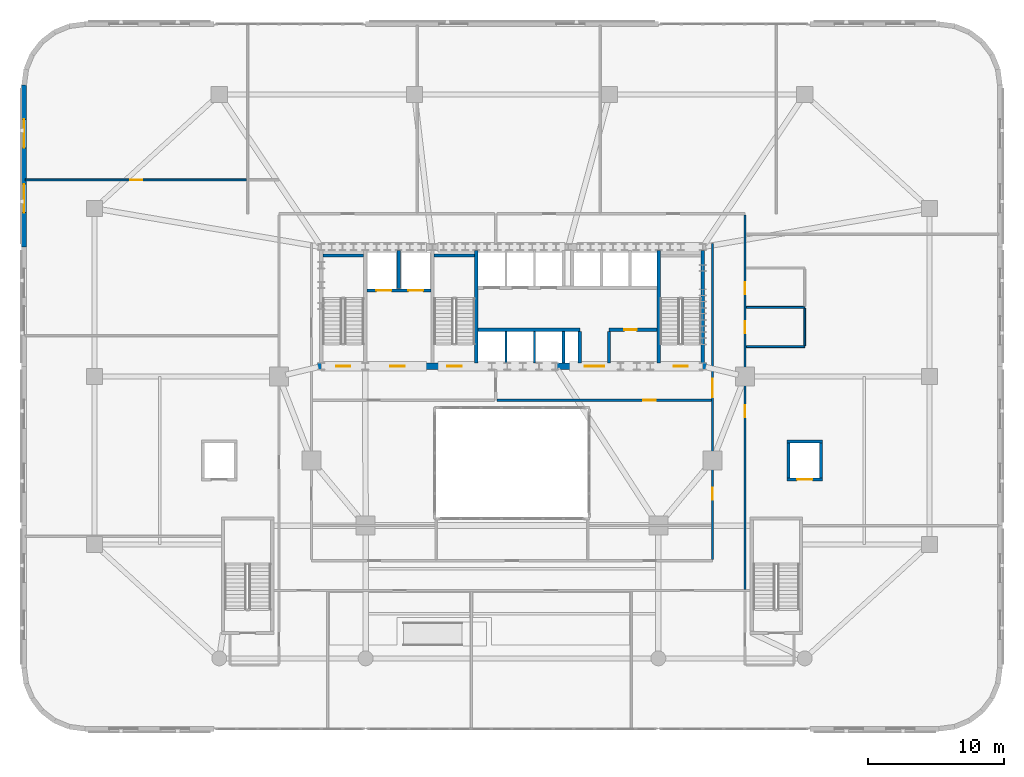
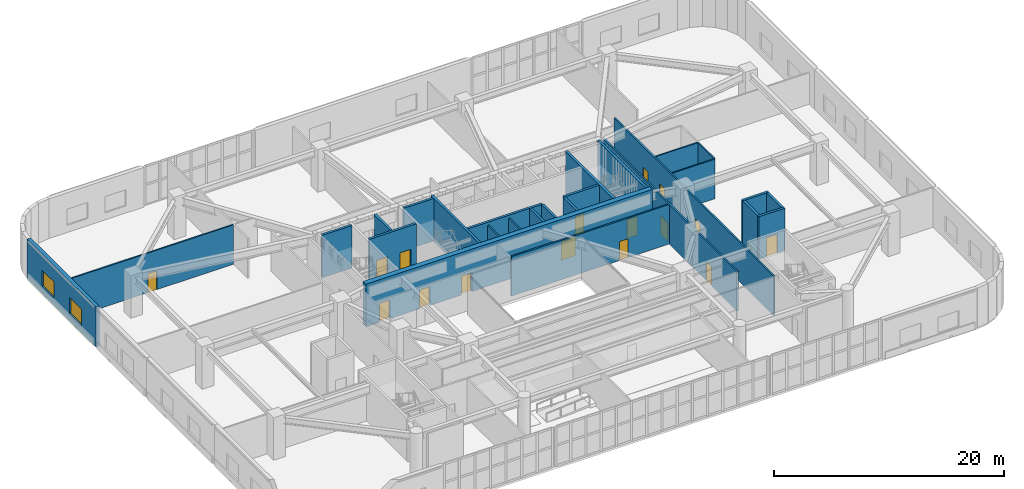
# One storey, part 15 of 25: 27 walls, 16 doors, 2 windows, 18 openings.
"""IFC4 building model written with IfcOpenShell, lengths in metres."""

from ifc_helpers import new_model, si_unit, direction, frame, frame_2d, origin, place, context, subcontext, project, spatial, rectangle, extrude, material, layer, layer_set, type_object, element, fill, save


model = new_model("IFC4")

# Units and contexts
model_context = context("Model", 3, precision=1e-05, world=origin(), true_north=direction((0.0, 1.0)))
body_context = subcontext(model_context, "Body", "Model", "MODEL_VIEW")
ifc_project = project(units=[si_unit("LENGTHUNIT", "METRE"), si_unit("AREAUNIT", "SQUARE_METRE"), si_unit("VOLUMEUNIT", "CUBIC_METRE"), si_unit("PLANEANGLEUNIT", "RADIAN"), si_unit("MASSUNIT", "GRAM", prefix="KILO")], contexts=[model_context])

# Site, building, storey
site_placement = place(None, origin())
site = spatial("IfcSite", under=ifc_project, at=site_placement, CompositionType="ELEMENT")
building_placement = place(site_placement, origin())
building = spatial("IfcBuilding", under=site, at=building_placement, Name="Haldorwick Loom Tower", CompositionType="ELEMENT")
storey_placement = place(building_placement, frame((0.0, 0.0, 6.0)))
storey = spatial("IfcBuildingStorey", under=building, at=storey_placement, Name="L01", CompositionType="ELEMENT", Elevation=6.0)

# Wall, openings, windows
ifc_material_1 = material(Name="Pressed Clay Face Brick and Insulated Masonry Backup Assembly", Category="masonry")
ifc_layer_1 = layer(ifc_material_1, 0.360107421875, Name="Pressed Clay Face Brick and Insulated Masonry Backup Assembly", Category="masonry")
ifc_layer_set_1 = layer_set([ifc_layer_1], Name="Pressed Clay Face Brick and Insulated Masonry Backup Assembly")
wall_type_1 = type_object("IfcWallType", Name="ARC-WL-EXT360", PredefinedType="STANDARD", material=ifc_layer_set_1)
wall_1_placement = place(storey_placement, frame((0.0, 47.5, 0.0), z_axis=(0.0, 0.0, 1.0), x_axis=(0.0, -1.0, 0.0)))
wall_1 = element("IfcWall", 1, at=wall_1_placement, inside=storey, type_object=wall_type_1, Name="L01 Brick Pier and Spandrel Wall 28", PredefinedType="STANDARD", context=body_context, shape_type="SweptSolid", body=[
    extrude(rectangle(XDim=11.949951171875, YDim=0.360107421875, at=frame_2d((5.97509765625, 0.0))), origin(), (0.0, 0.0, 1.0), 4.199951171875),
])
opening_1_placement = place(wall_1_placement, frame((2.534912109375, 0.0, 0.75)))
opening_1 = element("IfcOpeningElement", 2, at=opening_1_placement, cuts=wall_1, Name="Opening W-04", PredefinedType="OPENING", context=body_context, shape_type="SweptSolid", body=[
    extrude(rectangle(XDim=2.10009765625, YDim=1.719970703125, at=frame_2d((1.050048828125, 0.85986328125))), frame((0.0, 0.18994140625, 0.0), z_axis=(0.0, -1.0, 0.0), x_axis=(1.0, 0.0, 0.0)), (0.0, 0.0, 1.0), 0.380126953125),
])
opening_2_placement = place(wall_1_placement, frame((7.31494140625, 0.0, 0.75)))
opening_2 = element("IfcOpeningElement", 3, at=opening_2_placement, cuts=wall_1, Name="Opening W-04", PredefinedType="OPENING", context=body_context, shape_type="SweptSolid", body=[
    extrude(rectangle(XDim=2.10009765625, YDim=1.719970703125, at=frame_2d((1.050048828125, 0.85986328125))), frame((0.0, 0.18994140625, 0.0), z_axis=(0.0, -1.0, 0.0), x_axis=(1.0, 0.0, 0.0)), (0.0, 0.0, 1.0), 0.380126953125),
])
ifc_material_2 = material(Name="Triple-Glazed Low-E Argon Insulated Glazing Unit", Category="glass")
window_type = type_object("IfcWindowType", Name="ARC-WIN-W210", PartitioningType="SINGLE_PANEL", PredefinedType="WINDOW", material=ifc_material_2)
window_1_placement = place(opening_1_placement, origin())
window_1 = element("IfcWindow", 4, at=window_1_placement, inside=storey, type_object=window_type, Name="L01 Deep-Set Zone 7A Window 28", OverallHeight=1.719970703125, OverallWidth=2.10009765625, PartitioningType="SINGLE_PANEL", PredefinedType="WINDOW", context=body_context, shape_type="SweptSolid", body=[
    extrude(rectangle(XDim=2.10009765625, YDim=1.719970703125, at=frame_2d((1.050048828125, 0.85986328125))), frame((0.0, 0.030029296875, 0.0), z_axis=(0.0, -1.0, 0.0), x_axis=(1.0, 0.0, 0.0)), (0.0, 0.0, 1.0), 0.06005859375),
])
fill(opening_1, window_1)
window_2_placement = place(opening_2_placement, origin())
window_2 = element("IfcWindow", 5, at=window_2_placement, inside=storey, type_object=window_type, Name="L01 Deep-Set Zone 7A Window 28", OverallHeight=1.719970703125, OverallWidth=2.10009765625, PartitioningType="SINGLE_PANEL", PredefinedType="WINDOW", context=body_context, shape_type="SweptSolid", body=[
    extrude(rectangle(XDim=2.10009765625, YDim=1.719970703125, at=frame_2d((1.050048828125, 0.85986328125))), frame((0.0, 0.030029296875, 0.0), z_axis=(0.0, -1.0, 0.0), x_axis=(1.0, 0.0, 0.0)), (0.0, 0.0, 1.0), 0.06005859375),
])
fill(opening_2, window_2)

# Wall, openings, doors
ifc_material_3 = material(Name="Fire-Rated Type X Gypsum Stud Assembly EI 60")
ifc_layer_2 = layer(ifc_material_3, 0.159912109375, Name="Fire-Rated Type X Gypsum Stud Assembly EI 60")
ifc_layer_set_2 = layer_set([ifc_layer_2], Name="Fire-Rated Type X Gypsum Stud Assembly EI 60")
wall_type_2 = type_object("IfcWallType", Name="ARC-WL-FIRE160", PredefinedType="PARTITIONING", material=ifc_layer_set_2)
wall_2_placement = place(storey_placement, frame((53.199951171875, 10.282958984375, 0.0), z_axis=(0.0, 0.0, 1.0), x_axis=(0.0, 1.0, 0.0)))
wall_2 = element("IfcWall", 6, at=wall_2_placement, inside=storey, type_object=wall_type_2, Name="L01 Podium Partition L01-CE0", PredefinedType="PARTITIONING", context=body_context, shape_type="SweptSolid", body=[
    extrude(rectangle(XDim=27.634033203125, YDim=0.159912109375, at=frame_2d((13.81689453125, 0.0))), origin(), (0.0, 0.0, 1.0), 4.18505859375),
])
opening_3_placement = place(wall_2_placement, frame((12.703857421875, 0.0, 0.0)))
opening_3 = element("IfcOpeningElement", 7, at=opening_3_placement, cuts=wall_2, Name="Opening D-FD60A", PredefinedType="OPENING", context=body_context, shape_type="SweptSolid", body=[
    extrude(rectangle(XDim=0.89990234375, YDim=2.0, at=frame_2d((0.449951171875, 1.0))), frame((0.0, 0.08984375, 0.0), z_axis=(0.0, -1.0, 0.0), x_axis=(1.0, 0.0, 0.0)), (0.0, 0.0, 1.0), 0.179931640625),
])
opening_4_placement = place(wall_2_placement, frame((18.893798828125, 0.0, 0.0)))
opening_4 = element("IfcOpeningElement", 8, at=opening_4_placement, cuts=wall_2, Name="Opening D-FD60A", PredefinedType="OPENING", context=body_context, shape_type="SweptSolid", body=[
    extrude(rectangle(XDim=0.89990234375, YDim=2.0, at=frame_2d((0.449951171875, 1.0))), frame((0.0, 0.08984375, 0.0), z_axis=(0.0, -1.0, 0.0), x_axis=(1.0, 0.0, 0.0)), (0.0, 0.0, 1.0), 0.179931640625),
])
opening_5_placement = place(wall_2_placement, frame((21.767578125, 0.0, 0.0)))
opening_5 = element("IfcOpeningElement", 9, at=opening_5_placement, cuts=wall_2, Name="Opening D-FD60A", PredefinedType="OPENING", context=body_context, shape_type="SweptSolid", body=[
    extrude(rectangle(XDim=0.89990234375, YDim=2.0, at=frame_2d((0.449951171875, 1.0))), frame((0.0, 0.08984375, 0.0), z_axis=(0.0, -1.0, 0.0), x_axis=(1.0, 0.0, 0.0)), (0.0, 0.0, 1.0), 0.179931640625),
])
ifc_material_4 = material(Name="Hollow Steel Fire Door Assembly", Category="steel")
door_type_1 = type_object("IfcDoorType", Name="ARC-DR-FD60-90", OperationType="NOTDEFINED", PredefinedType="DOOR", material=ifc_material_4)
door_1_placement = place(opening_3_placement, origin())
door_1 = element("IfcDoor", 10, at=door_1_placement, inside=storey, type_object=door_type_1, Name="L01 L01 South Clinic Corridor to Outpatient Waiting Hall 14 Door", OperationType="SINGLE_SWING_RIGHT", OverallHeight=2.0, OverallWidth=0.89990234375, PredefinedType="DOOR", context=body_context, shape_type="SweptSolid", body=[
    extrude(rectangle(XDim=0.89990234375, YDim=2.0, at=frame_2d((0.449951171875, 1.0))), frame((0.0, 0.02490234375, 0.0), z_axis=(0.0, -1.0, 0.0), x_axis=(1.0, 0.0, 0.0)), (0.0, 0.0, 1.0), 0.050048828125),
])
fill(opening_3, door_1)
door_2_placement = place(opening_4_placement, origin())
door_2 = element("IfcDoor", 11, at=door_2_placement, inside=storey, type_object=door_type_1, Name="L01 L01 South Clinic Corridor to Public Washroom Door", OperationType="SINGLE_SWING_RIGHT", OverallHeight=2.0, OverallWidth=0.89990234375, PredefinedType="DOOR", context=body_context, shape_type="SweptSolid", body=[
    extrude(rectangle(XDim=0.89990234375, YDim=2.0, at=frame_2d((0.449951171875, 1.0))), frame((0.0, 0.02490234375, 0.0), z_axis=(0.0, -1.0, 0.0), x_axis=(1.0, 0.0, 0.0)), (0.0, 0.0, 1.0), 0.050048828125),
])
fill(opening_4, door_2)
door_3_placement = place(opening_5_placement, origin())
door_3 = element("IfcDoor", 12, at=door_3_placement, inside=storey, type_object=door_type_1, Name="L01 L01 South Clinic Corridor to Accessible WC Door", OperationType="SINGLE_SWING_LEFT", OverallHeight=2.0, OverallWidth=0.89990234375, PredefinedType="DOOR", context=body_context, shape_type="SweptSolid", body=[
    extrude(rectangle(XDim=0.89990234375, YDim=2.0, at=frame_2d((0.449951171875, 1.0))), frame((0.0, 0.02490234375, 0.0), z_axis=(0.0, -1.0, 0.0), x_axis=(1.0, 0.0, 0.0)), (0.0, 0.0, 1.0), 0.050048828125),
])
fill(opening_5, door_3)

wall_3_placement = place(storey_placement, frame((50.800048828125, 12.48291015625, 0.0), z_axis=(0.0, 0.0, 1.0), x_axis=(0.0, 1.0, 0.0)))
wall_3 = element("IfcWall", 13, at=wall_3_placement, inside=storey, type_object=wall_type_2, Name="L01 Podium Partition L01-CE1", PredefinedType="PARTITIONING", context=body_context, shape_type="SweptSolid", body=[
    extrude(rectangle(XDim=23.317138671875, YDim=0.159912109375, at=frame_2d((11.65869140625, 0.0))), origin(), (0.0, 0.0, 1.0), 4.18505859375),
])
opening_6_placement = place(wall_3_placement, frame((11.99169921875, 0.0, 0.0)))
opening_6 = element("IfcOpeningElement", 14, at=opening_6_placement, cuts=wall_3, Name="Opening D-CR15", PredefinedType="OPENING", context=body_context, shape_type="SweptSolid", body=[
    extrude(rectangle(XDim=1.35009765625, YDim=2.0, at=frame_2d((0.675048828125, 1.0))), frame((0.0, 0.08984375, 0.0), z_axis=(0.0, -1.0, 0.0), x_axis=(1.0, 0.0, 0.0)), (0.0, 0.0, 1.0), 0.179931640625),
])
opening_7_placement = place(wall_3_placement, frame((4.405517578125, 0.0, 0.0)))
opening_7 = element("IfcOpeningElement", 15, at=opening_7_placement, cuts=wall_3, Name="Opening D-FD60A", PredefinedType="OPENING", context=body_context, shape_type="SweptSolid", body=[
    extrude(rectangle(XDim=0.89990234375, YDim=2.0, at=frame_2d((0.449951171875, 1.0))), frame((0.0, 0.08984375, 0.0), z_axis=(0.0, -1.0, 0.0), x_axis=(1.0, 0.0, 0.0)), (0.0, 0.0, 1.0), 0.179931640625),
])
ifc_material_5 = material(Name="Thermally Broken Anodized Aluminium and Tempered Glass", Category="aluminium")
door_type_2 = type_object("IfcDoorType", Name="ARC-DR-COR150", OperationType="NOTDEFINED", PredefinedType="DOOR", material=ifc_material_5)
door_4_placement = place(opening_6_placement, origin())
door_4 = element("IfcDoor", 16, at=door_4_placement, inside=storey, type_object=door_type_2, Name="L01 L01 East Core Corridor to L01 South Clinic Corridor Door", OperationType="DOUBLE_DOOR_SINGLE_SWING", OverallHeight=2.0, OverallWidth=1.35009765625, PredefinedType="DOOR", context=body_context, shape_type="SweptSolid", body=[
    extrude(rectangle(XDim=1.35009765625, YDim=2.0, at=frame_2d((0.675048828125, 1.0))), frame((0.0, 0.02490234375, 0.0), z_axis=(0.0, -1.0, 0.0), x_axis=(1.0, 0.0, 0.0)), (0.0, 0.0, 1.0), 0.050048828125),
])
fill(opening_6, door_4)
door_5_placement = place(opening_7_placement, origin())
door_5 = element("IfcDoor", 17, at=door_5_placement, inside=storey, type_object=door_type_1, Name="L01 Station Mezzanine Lounge 11 to L01 South Clinic Corridor Door", OperationType="SINGLE_SWING_RIGHT", OverallHeight=2.0, OverallWidth=0.89990234375, PredefinedType="DOOR", context=body_context, shape_type="SweptSolid", body=[
    extrude(rectangle(XDim=0.89990234375, YDim=2.0, at=frame_2d((0.449951171875, 1.0))), frame((0.0, 0.02490234375, 0.0), z_axis=(0.0, -1.0, 0.0), x_axis=(1.0, 0.0, 0.0)), (0.0, 0.0, 1.0), 0.050048828125),
])
fill(opening_7, door_5)

# Wall, opening, door
wall_4_placement = place(storey_placement, frame((34.883056640625, 24.25, 0.0), z_axis=(0.0, 0.0, 1.0), x_axis=(1.0, 0.0, 0.0)))
wall_4 = element("IfcWall", 18, at=wall_4_placement, inside=storey, type_object=wall_type_2, Name="L01 Podium Partition L01-CMN", PredefinedType="PARTITIONING", context=body_context, shape_type="SweptSolid", body=[
    extrude(rectangle(XDim=15.833984375, YDim=0.159912109375, at=frame_2d((7.9169921875, 0.0))), origin(), (0.0, 0.0, 1.0), 4.18505859375),
])
opening_8_placement = place(wall_4_placement, frame((10.812255859375, 0.0, 0.0)))
opening_8 = element("IfcOpeningElement", 19, at=opening_8_placement, cuts=wall_4, Name="Opening D-FD60A", PredefinedType="OPENING", context=body_context, shape_type="SweptSolid", body=[
    extrude(rectangle(XDim=0.89990234375, YDim=2.0, at=frame_2d((0.449951171875, 1.0))), frame((0.0, 0.08984375, 0.0), z_axis=(0.0, -1.0, 0.0), x_axis=(1.0, 0.0, 0.0)), (0.0, 0.0, 1.0), 0.179931640625),
])
door_6_placement = place(opening_8_placement, origin())
door_6 = element("IfcDoor", 20, at=door_6_placement, inside=storey, type_object=door_type_1, Name="L01 L01 East Core Corridor to Station Mezzanine Lounge 11 Door", OperationType="SINGLE_SWING_LEFT", OverallHeight=2.0, OverallWidth=0.89990234375, PredefinedType="DOOR", context=body_context, shape_type="SweptSolid", body=[
    extrude(rectangle(XDim=0.89990234375, YDim=2.0, at=frame_2d((0.449951171875, 1.0))), frame((0.0, 0.02490234375, 0.0), z_axis=(0.0, -1.0, 0.0), x_axis=(1.0, 0.0, 0.0)), (0.0, 0.0, 1.0), 0.050048828125),
])
fill(opening_8, door_6)

# Walls
ifc_layer_3 = layer(ifc_material_3, 0.139892578125, Name="Fire-Rated Type X Gypsum Stud Assembly EI 60")
ifc_layer_set_3 = layer_set([ifc_layer_3], Name="Fire-Rated Type X Gypsum Stud Assembly EI 60")
wall_type_3 = type_object("IfcWallType", Name="ARC-WL-PART140", PredefinedType="PARTITIONING", material=ifc_layer_set_3)
for number, where, z_axis, x_axis, name in (
    (21, (53.282958984375, 28.199951171875, 0.0), (0.0, 0.0, 1.0), (1.0, 0.0, 0.0), "L01 Podium Partition L01-WC1"),
    (22, (53.282958984375, 31.10009765625, 0.0), (0.0, 0.0, 1.0), (1.0, 0.0, 0.0), "L01 Podium Partition L01-WC2"),
):
    element("IfcWall", number, at=place(storey_placement, frame(where, z_axis=z_axis, x_axis=x_axis)), inside=storey, type_object=wall_type_3, Name=name, PredefinedType="PARTITIONING", context=body_context, shape_type="SweptSolid", body=[
        extrude(rectangle(XDim=4.317138671875, YDim=0.139892578125, at=frame_2d((2.15869140625, 0.0))), origin(), (0.0, 0.0, 1.0), 4.18505859375),
    ])
wall_5_placement = place(storey_placement, frame((57.60009765625, 28.27294921875, 0.0), z_axis=(0.0, 0.0, 1.0), x_axis=(0.0, 1.0, 0.0)))
element("IfcWall", 23, at=wall_5_placement, inside=storey, type_object=wall_type_3, Name="L01 Podium Partition L01-WC4", PredefinedType="PARTITIONING", context=body_context, shape_type="SweptSolid", body=[
    extrude(rectangle(XDim=2.754150390625, YDim=0.139892578125, at=frame_2d((1.376953125, 0.0))), origin(), (0.0, 0.0, 1.0), 4.18505859375),
])

# Wall, opening, door
wall_6_placement = place(storey_placement, frame((0.10009765625, 40.5, 0.0), z_axis=(0.0, 0.0, 1.0), x_axis=(1.0, 0.0, 0.0)))
wall_6 = element("IfcWall", 24, at=wall_6_placement, inside=storey, type_object=wall_type_3, Name="L01 Podium Partition L01-PW-2", PredefinedType="PARTITIONING", context=body_context, shape_type="SweptSolid", body=[
    extrude(rectangle(XDim=16.326904296875, YDim=0.139892578125, at=frame_2d((8.16357421875, 0.0))), origin(), (0.0, 0.0, 1.0), 4.18505859375),
])
opening_9_placement = place(wall_6_placement, frame((7.723388671875, 0.0, 0.0)))
opening_9 = element("IfcOpeningElement", 25, at=opening_9_placement, cuts=wall_6, Name="Opening D-FD60A", PredefinedType="OPENING", context=body_context, shape_type="SweptSolid", body=[
    extrude(rectangle(XDim=0.89990234375, YDim=2.0, at=frame_2d((0.449951171875, 1.0))), frame((0.0, 0.079833984375, 0.0), z_axis=(0.0, -1.0, 0.0), x_axis=(1.0, 0.0, 0.0)), (0.0, 0.0, 1.0), 0.159912109375),
])
door_7_placement = place(opening_9_placement, frame((0.89990234375, 0.0, 0.0), z_axis=(0.0, 0.0, 1.0), x_axis=(-1.0, 0.0, 0.0)))
door_7 = element("IfcDoor", 26, at=door_7_placement, inside=storey, type_object=door_type_1, Name="L01 Ticket Customer Office 22 to Outpatient Waiting Hall 19 Door", OperationType="SINGLE_SWING_RIGHT", OverallHeight=2.0, OverallWidth=0.89990234375, PredefinedType="DOOR", context=body_context, shape_type="SweptSolid", body=[
    extrude(rectangle(XDim=0.89990234375, YDim=2.0, at=frame_2d((0.449951171875, 1.0))), frame((0.0, 0.02490234375, 0.0), z_axis=(0.0, -1.0, 0.0), x_axis=(1.0, 0.0, 0.0)), (0.0, 0.0, 1.0), 0.050048828125),
])
fill(opening_9, door_7)

# Walls
ifc_material_6 = material(Name="Fire-Rated Type X Gypsum Stud Assembly EI 120")
ifc_layer_4 = layer(ifc_material_6, 0.1650390625, Name="Fire-Rated Type X Gypsum Stud Assembly EI 120")
ifc_layer_set_4 = layer_set([ifc_layer_4], Name="Fire-Rated Type X Gypsum Stud Assembly EI 120")
wall_type_4 = type_object("IfcWallType", Name="ARC-WL-SHAFT160", PredefinedType="MOVABLE", material=ifc_layer_set_4)
for number, where, z_axis, x_axis, name in (
    (27, (35.550048828125, 27.0029296875, 0.0), (0.0, 0.0, 1.0), (0.0, 1.0, 0.0), "L01 Mid-Rise Hoistway Divider 1"),
    (28, (37.64990234375, 27.0029296875, 0.0), (0.0, 0.0, 1.0), (0.0, 1.0, 0.0), "L01 Mid-Rise Hoistway Divider 2"),
):
    element("IfcWall", number, at=place(storey_placement, frame(where, z_axis=z_axis, x_axis=x_axis)), inside=storey, type_object=wall_type_4, Name=name, PredefinedType="MOVABLE", context=body_context, shape_type="SweptSolid", body=[
        extrude(rectangle(XDim=2.323974609375, YDim=0.159912109375, at=frame_2d((1.162109375, 0.0))), origin(), (0.0, 0.0, 1.0), 4.18505859375),
    ])

# Wall, openings, doors
ifc_material_7 = material(Name="Concrete C60 (60 MPa)", Category="concrete")
ifc_layer_5 = layer(ifc_material_7, 0.5, Name="Concrete C60 (60 MPa)", Category="concrete")
ifc_layer_set_5 = layer_set([ifc_layer_5], Name="Concrete C60 (60 MPa)")
wall_type_5 = type_object("IfcWallType", Name="STR-WL-CORE500", PredefinedType="SHEAR", material=ifc_layer_set_5)
wall_7_placement = place(storey_placement, frame((21.64990234375, 26.75, 0.0), z_axis=(0.0, 0.0, 1.0), x_axis=(1.0, 0.0, 0.0)))
wall_7 = element("IfcWall", 29, at=wall_7_placement, inside=storey, type_object=wall_type_5, Name="L01 Core Shear Wall S", PredefinedType="SHEAR", context=body_context, shape_type="SweptSolid", body=[
    extrude(rectangle(XDim=28.7001953125, YDim=0.5, at=frame_2d((14.35009765625, 0.0))), origin(), (0.0, 0.0, 1.0), 4.5),
])
opening_10_placement = place(wall_7_placement, frame((1.375, 0.0, 0.0)))
opening_10 = element("IfcOpeningElement", 30, at=opening_10_placement, cuts=wall_7, Name="Opening D-FD60", PredefinedType="OPENING", context=body_context, shape_type="SweptSolid", body=[
    extrude(rectangle(XDim=1.050048828125, YDim=2.0, at=frame_2d((0.52490234375, 1.0))), frame((0.0, 0.260009765625, 0.0), z_axis=(0.0, -1.0, 0.0), x_axis=(1.0, 0.0, 0.0)), (0.0, 0.0, 1.0), 0.52001953125),
])
opening_11_placement = place(wall_7_placement, frame((5.375, 0.0, 0.0)))
opening_11 = element("IfcOpeningElement", 31, at=opening_11_placement, cuts=wall_7, Name="Opening D-FD60", PredefinedType="OPENING", context=body_context, shape_type="SweptSolid", body=[
    extrude(rectangle(XDim=1.050048828125, YDim=2.0, at=frame_2d((0.52490234375, 1.0))), frame((0.0, 0.260009765625, 0.0), z_axis=(0.0, -1.0, 0.0), x_axis=(1.0, 0.0, 0.0)), (0.0, 0.0, 1.0), 0.52001953125),
])
opening_12_placement = place(wall_7_placement, frame((9.574951171875, 0.0, 0.0)))
opening_12 = element("IfcOpeningElement", 32, at=opening_12_placement, cuts=wall_7, Name="Opening D-FD60", PredefinedType="OPENING", context=body_context, shape_type="SweptSolid", body=[
    extrude(rectangle(XDim=1.050048828125, YDim=2.0, at=frame_2d((0.52490234375, 1.0))), frame((0.0, 0.260009765625, 0.0), z_axis=(0.0, -1.0, 0.0), x_axis=(1.0, 0.0, 0.0)), (0.0, 0.0, 1.0), 0.52001953125),
])
opening_13_placement = place(wall_7_placement, frame((19.705078125, 0.0, 0.0)))
opening_13 = element("IfcOpeningElement", 33, at=opening_13_placement, cuts=wall_7, Name="Opening D-LB15", PredefinedType="OPENING", context=body_context, shape_type="SweptSolid", body=[
    extrude(rectangle(XDim=1.449951171875, YDim=2.0, at=frame_2d((0.72509765625, 1.0))), frame((0.0, 0.260009765625, 0.0), z_axis=(0.0, -1.0, 0.0), x_axis=(1.0, 0.0, 0.0)), (0.0, 0.0, 1.0), 0.52001953125),
])
opening_14_placement = place(wall_7_placement, frame((26.27490234375, 0.0, 0.0)))
opening_14 = element("IfcOpeningElement", 34, at=opening_14_placement, cuts=wall_7, Name="Opening D-FD60", PredefinedType="OPENING", context=body_context, shape_type="SweptSolid", body=[
    extrude(rectangle(XDim=1.050048828125, YDim=2.0, at=frame_2d((0.52490234375, 1.0))), frame((0.0, 0.260009765625, 0.0), z_axis=(0.0, -1.0, 0.0), x_axis=(1.0, 0.0, 0.0)), (0.0, 0.0, 1.0), 0.52001953125),
])
door_type_3 = type_object("IfcDoorType", Name="ARC-DR-FD60", OperationType="NOTDEFINED", PredefinedType="DOOR", material=ifc_material_4)
door_8_placement = place(opening_10_placement, origin())
door_8 = element("IfcDoor", 35, at=door_8_placement, inside=storey, type_object=door_type_3, Name="L01 Exit Stair ST-01 Fire Door", OperationType="SINGLE_SWING_LEFT", OverallHeight=2.0, OverallWidth=1.050048828125, PredefinedType="DOOR", context=body_context, shape_type="SweptSolid", body=[
    extrude(rectangle(XDim=1.050048828125, YDim=2.0, at=frame_2d((0.52490234375, 1.0))), frame((0.0, 0.02490234375, 0.0), z_axis=(0.0, -1.0, 0.0), x_axis=(1.0, 0.0, 0.0)), (0.0, 0.0, 1.0), 0.050048828125),
])
fill(opening_10, door_8)
door_9_placement = place(opening_11_placement, origin())
door_9 = element("IfcDoor", 36, at=door_9_placement, inside=storey, type_object=door_type_3, Name="L01 Firefighting Lift Lobby Fire Door", OperationType="SINGLE_SWING_RIGHT", OverallHeight=2.0, OverallWidth=1.050048828125, PredefinedType="DOOR", context=body_context, shape_type="SweptSolid", body=[
    extrude(rectangle(XDim=1.050048828125, YDim=2.0, at=frame_2d((0.52490234375, 1.0))), frame((0.0, 0.02490234375, 0.0), z_axis=(0.0, -1.0, 0.0), x_axis=(1.0, 0.0, 0.0)), (0.0, 0.0, 1.0), 0.050048828125),
])
fill(opening_11, door_9)
door_10_placement = place(opening_12_placement, origin())
door_10 = element("IfcDoor", 37, at=door_10_placement, inside=storey, type_object=door_type_3, Name="L01 Exit Stair ST-03 Fire Door", OperationType="SINGLE_SWING_LEFT", OverallHeight=2.0, OverallWidth=1.050048828125, PredefinedType="DOOR", context=body_context, shape_type="SweptSolid", body=[
    extrude(rectangle(XDim=1.050048828125, YDim=2.0, at=frame_2d((0.52490234375, 1.0))), frame((0.0, 0.02490234375, 0.0), z_axis=(0.0, -1.0, 0.0), x_axis=(1.0, 0.0, 0.0)), (0.0, 0.0, 1.0), 0.050048828125),
])
fill(opening_12, door_10)
door_11_placement = place(opening_14_placement, origin())
door_11 = element("IfcDoor", 38, at=door_11_placement, inside=storey, type_object=door_type_3, Name="L01 Exit Stair ST-02 Fire Door", OperationType="SINGLE_SWING_LEFT", OverallHeight=2.0, OverallWidth=1.050048828125, PredefinedType="DOOR", context=body_context, shape_type="SweptSolid", body=[
    extrude(rectangle(XDim=1.050048828125, YDim=2.0, at=frame_2d((0.52490234375, 1.0))), frame((0.0, 0.02490234375, 0.0), z_axis=(0.0, -1.0, 0.0), x_axis=(1.0, 0.0, 0.0)), (0.0, 0.0, 1.0), 0.050048828125),
])
fill(opening_14, door_11)
door_type_4 = type_object("IfcDoorType", Name="ARC-DR-LOB150", OperationType="NOTDEFINED", PredefinedType="DOOR", material=ifc_material_5)
door_12_placement = place(opening_13_placement, frame((1.449951171875, 0.0, 0.0), z_axis=(0.0, 0.0, 1.0), x_axis=(-1.0, 0.0, 0.0)))
door_12 = element("IfcDoor", 39, at=door_12_placement, inside=storey, type_object=door_type_4, Name="L01 Passenger Lift Lobby Fire Door", OperationType="DOUBLE_DOOR_SINGLE_SWING", OverallHeight=2.0, OverallWidth=1.449951171875, PredefinedType="DOOR", context=body_context, shape_type="SweptSolid", body=[
    extrude(rectangle(XDim=1.449951171875, YDim=2.0, at=frame_2d((0.72509765625, 1.0))), frame((0.0, 0.02490234375, 0.0), z_axis=(0.0, -1.0, 0.0), x_axis=(1.0, 0.0, 0.0)), (0.0, 0.0, 1.0), 0.050048828125),
])
fill(opening_13, door_12)

# Walls
ifc_material_8 = material(Name="Concrete C50 (50 MPa)", Category="concrete")
ifc_layer_6 = layer(ifc_material_8, 0.239990234375, Name="Concrete C50 (50 MPa)", Category="concrete")
ifc_layer_set_6 = layer_set([ifc_layer_6], Name="Concrete C50 (50 MPa)")
wall_type_6 = type_object("IfcWallType", Name="STR-WL-SHAFT240", PredefinedType="SHEAR", material=ifc_layer_set_6)
wall_8_placement = place(storey_placement, frame((50.070068359375, 27.0029296875, 0.0), z_axis=(0.0, 0.0, 1.0), x_axis=(0.0, 1.0, 0.0)))
element("IfcWall", 40, at=wall_8_placement, inside=storey, type_object=wall_type_6, Name="L01 Core Shear Wall E", PredefinedType="SHEAR", context=body_context, shape_type="SweptSolid", body=[
    extrude(rectangle(XDim=8.294189453125, YDim=0.239990234375, at=frame_2d((4.14697265625, 0.0))), origin(), (0.0, 0.0, 1.0), 4.5),
])
wall_9_placement = place(storey_placement, frame((22.052978515625, 34.919921875, 0.0), z_axis=(0.0, 0.0, 1.0), x_axis=(1.0, 0.0, 0.0)))
element("IfcWall", 41, at=wall_9_placement, inside=storey, type_object=wall_type_6, Name="L01 Core Shear Wall 1N", PredefinedType="SHEAR", context=body_context, shape_type="SweptSolid", body=[
    extrude(rectangle(XDim=2.994140625, YDim=0.239990234375, at=frame_2d((1.4970703125, 0.0))), origin(), (0.0, 0.0, 1.0), 4.5),
])
wall_10_placement = place(storey_placement, frame((33.3701171875, 27.0029296875, 0.0), z_axis=(0.0, 0.0, 1.0), x_axis=(0.0, 1.0, 0.0)))
element("IfcWall", 42, at=wall_10_placement, inside=storey, type_object=wall_type_6, Name="L01 Core Shear Wall 3", PredefinedType="SHEAR", context=body_context, shape_type="SweptSolid", body=[
    extrude(rectangle(XDim=8.294189453125, YDim=0.239990234375, at=frame_2d((4.14697265625, 0.0))), origin(), (0.0, 0.0, 1.0), 4.5),
])
wall_11_placement = place(storey_placement, frame((30.2529296875, 34.919921875, 0.0), z_axis=(0.0, 0.0, 1.0), x_axis=(1.0, 0.0, 0.0)))
element("IfcWall", 43, at=wall_11_placement, inside=storey, type_object=wall_type_6, Name="L01 Core Shear Wall 3N", PredefinedType="SHEAR", context=body_context, shape_type="SweptSolid", body=[
    extrude(rectangle(XDim=2.994140625, YDim=0.239990234375, at=frame_2d((1.4970703125, 0.0))), origin(), (0.0, 0.0, 1.0), 4.5),
])
wall_12_placement = place(storey_placement, frame((46.830078125, 27.0029296875, 0.0), z_axis=(0.0, 0.0, 1.0), x_axis=(0.0, 1.0, 0.0)))
element("IfcWall", 44, at=wall_12_placement, inside=storey, type_object=wall_type_6, Name="L01 Core Shear Wall 4", PredefinedType="SHEAR", context=body_context, shape_type="SweptSolid", body=[
    extrude(rectangle(XDim=8.294189453125, YDim=0.239990234375, at=frame_2d((4.14697265625, 0.0))), origin(), (0.0, 0.0, 1.0), 4.5),
])

# Wall, openings, doors
wall_13_placement = place(storey_placement, frame((25.29296875, 32.35009765625, 0.0), z_axis=(0.0, 0.0, 1.0), x_axis=(1.0, 0.0, 0.0)))
wall_13 = element("IfcWall", 45, at=wall_13_placement, inside=storey, type_object=wall_type_6, Name="L01 Core Shear Wall FF", PredefinedType="SHEAR", context=body_context, shape_type="SweptSolid", body=[
    extrude(rectangle(XDim=4.714111328125, YDim=0.239990234375, at=frame_2d((2.35693359375, 0.0))), origin(), (0.0, 0.0, 1.0), 4.5),
])
opening_15_placement = place(wall_13_placement, frame((0.70703125, 0.0, 0.0)))
opening_15 = element("IfcOpeningElement", 46, at=opening_15_placement, cuts=wall_13, Name="Opening LD-FF1", PredefinedType="OPENING", context=body_context, shape_type="SweptSolid", body=[
    extrude(rectangle(XDim=1.10009765625, YDim=2.0, at=frame_2d((0.550048828125, 1.0))), frame((0.0, 0.1298828125, 0.0), z_axis=(0.0, -1.0, 0.0), x_axis=(1.0, 0.0, 0.0)), (0.0, 0.0, 1.0), 0.260009765625),
])
opening_16_placement = place(wall_13_placement, frame((3.056884765625, 0.0, 0.0)))
opening_16 = element("IfcOpeningElement", 47, at=opening_16_placement, cuts=wall_13, Name="Opening LD-FF2", PredefinedType="OPENING", context=body_context, shape_type="SweptSolid", body=[
    extrude(rectangle(XDim=1.10009765625, YDim=2.0, at=frame_2d((0.550048828125, 1.0))), frame((0.0, 0.1298828125, 0.0), z_axis=(0.0, -1.0, 0.0), x_axis=(1.0, 0.0, 0.0)), (0.0, 0.0, 1.0), 0.260009765625),
])
door_type_5 = type_object("IfcDoorType", Name="ARC-DR-LD-FF", OperationType="NOTDEFINED", PredefinedType="USERDEFINED", material=ifc_material_4)
door_13_placement = place(opening_15_placement, origin())
door_13 = element("IfcDoor", 48, at=door_13_placement, inside=storey, type_object=door_type_5, Name="L01 Lift LF-FF1 Sliding Landing Door", ObjectType="LANDING DOOR", OperationType="DOUBLE_DOOR_SLIDING", OverallHeight=2.0, OverallWidth=1.10009765625, PredefinedType="USERDEFINED", context=body_context, shape_type="SweptSolid", body=[
    extrude(rectangle(XDim=1.10009765625, YDim=2.0, at=frame_2d((0.550048828125, 1.0))), frame((0.0, 0.02490234375, 0.0), z_axis=(0.0, -1.0, 0.0), x_axis=(1.0, 0.0, 0.0)), (0.0, 0.0, 1.0), 0.050048828125),
])
fill(opening_15, door_13)
door_14_placement = place(opening_16_placement, origin())
door_14 = element("IfcDoor", 49, at=door_14_placement, inside=storey, type_object=door_type_5, Name="L01 Lift LF-FF2 Sliding Landing Door", ObjectType="LANDING DOOR", OperationType="DOUBLE_DOOR_SLIDING", OverallHeight=2.0, OverallWidth=1.10009765625, PredefinedType="USERDEFINED", context=body_context, shape_type="SweptSolid", body=[
    extrude(rectangle(XDim=1.10009765625, YDim=2.0, at=frame_2d((0.550048828125, 1.0))), frame((0.0, 0.02490234375, 0.0), z_axis=(0.0, -1.0, 0.0), x_axis=(1.0, 0.0, 0.0)), (0.0, 0.0, 1.0), 0.050048828125),
])
fill(opening_16, door_14)

# Walls
wall_14_placement = place(storey_placement, frame((27.64990234375, 32.472900390625, 0.0), z_axis=(0.0, 0.0, 1.0), x_axis=(0.0, 1.0, 0.0)))
element("IfcWall", 50, at=wall_14_placement, inside=storey, type_object=wall_type_6, Name="L01 Core Shear Wall FFD", PredefinedType="SHEAR", context=body_context, shape_type="SweptSolid", body=[
    extrude(rectangle(XDim=2.82421875, YDim=0.239990234375, at=frame_2d((1.412109375, 0.0))), origin(), (0.0, 0.0, 1.0), 4.5),
])
wall_15_placement = place(storey_placement, frame((33.492919921875, 29.449951171875, 0.0), z_axis=(0.0, 0.0, 1.0), x_axis=(1.0, 0.0, 0.0)))
element("IfcWall", 51, at=wall_15_placement, inside=storey, type_object=wall_type_6, Name="L01 Core Shear Wall LS1", PredefinedType="SHEAR", context=body_context, shape_type="SweptSolid", body=[
    extrude(rectangle(XDim=7.507080078125, YDim=0.239990234375, at=frame_2d((3.75341796875, 0.0))), origin(), (0.0, 0.0, 1.0), 4.5),
])

# Wall, opening, door
wall_16_placement = place(storey_placement, frame((43.14990234375, 29.449951171875, 0.0), z_axis=(0.0, 0.0, 1.0), x_axis=(1.0, 0.0, 0.0)))
wall_16 = element("IfcWall", 52, at=wall_16_placement, inside=storey, type_object=wall_type_6, Name="L01 Core Shear Wall LS2", PredefinedType="SHEAR", context=body_context, shape_type="SweptSolid", body=[
    extrude(rectangle(XDim=3.55712890625, YDim=0.239990234375, at=frame_2d((1.778564453125, 0.0))), origin(), (0.0, 0.0, 1.0), 4.5),
])
opening_17_placement = place(wall_16_placement, frame((1.14990234375, 0.0, 0.0)))
opening_17 = element("IfcOpeningElement", 53, at=opening_17_placement, cuts=wall_16, Name="Opening D-FD60A", PredefinedType="OPENING", context=body_context, shape_type="SweptSolid", body=[
    extrude(rectangle(XDim=0.89990234375, YDim=2.0, at=frame_2d((0.449951171875, 1.0))), frame((0.0, 0.1298828125, 0.0), z_axis=(0.0, -1.0, 0.0), x_axis=(1.0, 0.0, 0.0)), (0.0, 0.0, 1.0), 0.260009765625),
])
door_15_placement = place(opening_17_placement, origin())
door_15 = element("IfcDoor", 54, at=door_15_placement, inside=storey, type_object=door_type_1, Name="L01 Electrical Metering Door", OperationType="SINGLE_SWING_LEFT", OverallHeight=2.0, OverallWidth=0.89990234375, PredefinedType="DOOR", context=body_context, shape_type="SweptSolid", body=[
    extrude(rectangle(XDim=0.89990234375, YDim=2.0, at=frame_2d((0.449951171875, 1.0))), frame((0.0, 0.02490234375, 0.0), z_axis=(0.0, -1.0, 0.0), x_axis=(1.0, 0.0, 0.0)), (0.0, 0.0, 1.0), 0.050048828125),
])
fill(opening_17, door_15)

# Walls
for number, where, z_axis, x_axis, name in (
    (55, (41.0, 27.0029296875, 0.0), (0.0, 0.0, 1.0), (0.0, 1.0, 0.0), "L01 Core Shear Wall THW"),
    (56, (43.14990234375, 27.0029296875, 0.0), (0.0, 0.0, 1.0), (0.0, 1.0, 0.0), "L01 Core Shear Wall THE"),
    (57, (39.800048828125, 27.0029296875, 0.0), (0.0, 0.0, 1.0), (0.0, 1.0, 0.0), "L01 Core Shear Wall MRW"),
):
    element("IfcWall", number, at=place(storey_placement, frame(where, z_axis=z_axis, x_axis=x_axis)), inside=storey, type_object=wall_type_6, Name=name, PredefinedType="SHEAR", context=body_context, shape_type="SweptSolid", body=[
        extrude(rectangle(XDim=2.323974609375, YDim=0.239990234375, at=frame_2d((1.162109375, 0.0))), origin(), (0.0, 0.0, 1.0), 4.5),
    ])

# Wall, opening, door
wall_17_placement = place(storey_placement, frame((56.280029296875, 18.39990234375, 0.0), z_axis=(0.0, 0.0, 1.0), x_axis=(1.0, 0.0, 0.0)))
wall_17 = element("IfcWall", 58, at=wall_17_placement, inside=storey, type_object=wall_type_6, Name="L01 Podium Lift Shaft LF-P2 Wall", PredefinedType="SHEAR", context=body_context, shape_type="SweptSolid", body=[
    extrude(rectangle(XDim=2.639892578125, YDim=0.239990234375, at=frame_2d((1.31982421875, 0.0))), origin(), (0.0, 0.0, 1.0), 4.5),
])
opening_18_placement = place(wall_17_placement, frame((0.760009765625, 0.0, 0.0)))
opening_18 = element("IfcOpeningElement", 59, at=opening_18_placement, cuts=wall_17, Name="Opening LD-P2", PredefinedType="OPENING", context=body_context, shape_type="SweptSolid", body=[
    extrude(rectangle(XDim=1.1201171875, YDim=2.0, at=frame_2d((0.56005859375, 1.0))), frame((0.0, 0.1298828125, 0.0), z_axis=(0.0, -1.0, 0.0), x_axis=(1.0, 0.0, 0.0)), (0.0, 0.0, 1.0), 0.260009765625),
])
door_type_6 = type_object("IfcDoorType", Name="ARC-DR-LD-PAX", OperationType="NOTDEFINED", PredefinedType="USERDEFINED", material=ifc_material_4)
door_16_placement = place(opening_18_placement, origin())
door_16 = element("IfcDoor", 60, at=door_16_placement, inside=storey, type_object=door_type_6, Name="L01 Lift LF-P2 Sliding Landing Door", ObjectType="LANDING DOOR", OperationType="DOUBLE_DOOR_SLIDING", OverallHeight=2.0, OverallWidth=1.1201171875, PredefinedType="USERDEFINED", context=body_context, shape_type="SweptSolid", body=[
    extrude(rectangle(XDim=1.1201171875, YDim=2.0, at=frame_2d((0.56005859375, 1.0))), frame((0.0, 0.02490234375, 0.0), z_axis=(0.0, -1.0, 0.0), x_axis=(1.0, 0.0, 0.0)), (0.0, 0.0, 1.0), 0.050048828125),
])
fill(opening_18, door_16)

# Walls
wall_18_placement = place(storey_placement, frame((58.919921875, 21.199951171875, 0.0), z_axis=(0.0, 0.0, 1.0), x_axis=(-1.0, 0.0, 0.0)))
element("IfcWall", 61, at=wall_18_placement, inside=storey, type_object=wall_type_6, Name="L01 Podium Lift Shaft LF-P2 Wall", PredefinedType="SHEAR", context=body_context, shape_type="SweptSolid", body=[
    extrude(rectangle(XDim=2.639892578125, YDim=0.239990234375, at=frame_2d((1.31982421875, 0.0))), origin(), (0.0, 0.0, 1.0), 4.5),
])
for number, where, z_axis, x_axis, name in (
    (62, (56.39990234375, 18.52294921875, 0.0), (0.0, 0.0, 1.0), (0.0, 1.0, 0.0), "L01 Podium Lift Shaft LF-P2 Wall"),
    (63, (58.800048828125, 18.52294921875, 0.0), (0.0, 0.0, 1.0), (0.0, 1.0, 0.0), "L01 Podium Lift Shaft LF-P2 Wall"),
):
    element("IfcWall", number, at=place(storey_placement, frame(where, z_axis=z_axis, x_axis=x_axis)), inside=storey, type_object=wall_type_6, Name=name, PredefinedType="SHEAR", context=body_context, shape_type="SweptSolid", body=[
        extrude(rectangle(XDim=2.553955078125, YDim=0.239990234375, at=frame_2d((1.27685546875, 0.0))), origin(), (0.0, 0.0, 1.0), 4.5),
    ])

save(model, "model.ifc")
